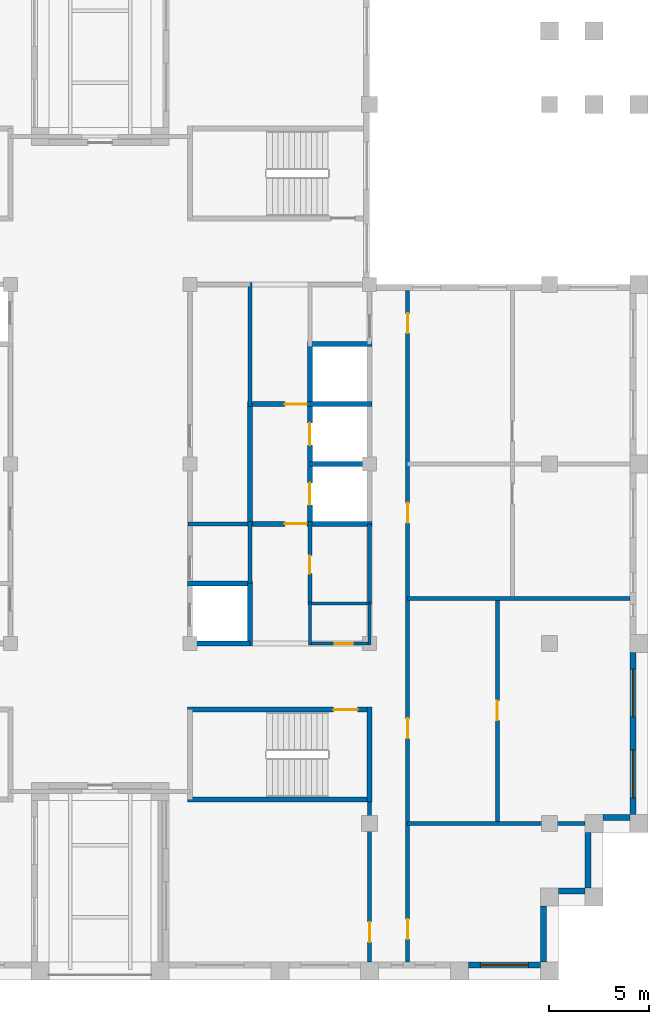
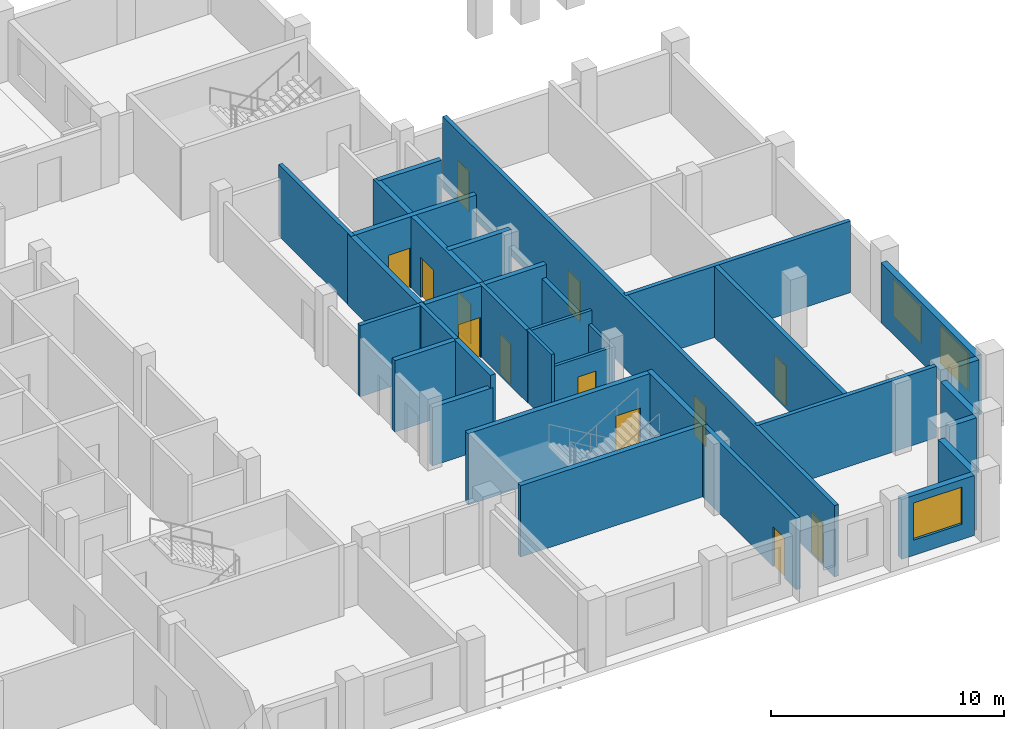
# One storey, part 4 of 8: 32 walls, 13 doors, 3 windows, 16 openings.
"""IFC4 building model written with IfcOpenShell, lengths in metres."""

from ifc_helpers import new_model, si_unit, direction, frame, frame_2d, origin, place, context, subcontext, project, spatial, rectangle, extrude, material, layer, layer_set, type_object, element, fill, save


model = new_model("IFC4")

# Units and contexts
model_context = context("Model", 3, precision=1e-05, world=origin(), true_north=direction((0.0, 1.0)))
body_context = subcontext(model_context, "Body", "Model", "MODEL_VIEW")
ifc_project = project(units=[si_unit("LENGTHUNIT", "METRE"), si_unit("AREAUNIT", "SQUARE_METRE"), si_unit("VOLUMEUNIT", "CUBIC_METRE"), si_unit("PLANEANGLEUNIT", "RADIAN"), si_unit("MASSUNIT", "GRAM", prefix="KILO")], contexts=[model_context])

# Site, building, storey
site_placement = place(None, origin())
site = spatial("IfcSite", under=ifc_project, at=site_placement, CompositionType="ELEMENT")
building_placement = place(site_placement, origin())
building = spatial("IfcBuilding", under=site, at=building_placement, Name="Corbelhall Arena Tower", CompositionType="ELEMENT")
storey_placement = place(building_placement, frame((0.0, 0.0, 326.0)))
storey = spatial("IfcBuildingStorey", under=building, at=storey_placement, Name="L71", CompositionType="ELEMENT", Elevation=326.0)

# Wall, opening, window
ifc_material_1 = material(Name="Precast concrete C40/50 with granite facing", Category="masonry")
ifc_layer_1 = layer(ifc_material_1, 0.300048828125)
ifc_layer_set_1 = layer_set([ifc_layer_1], Name="EV-IW1 Infill panel 300")
wall_type_1 = type_object("IfcWallType", Name="EV-IW1 Infill panel 300", PredefinedType="SOLIDWALL", material=ifc_layer_set_1)
wall_1_placement = place(storey_placement, frame((18.449951171875, -25.10009765625, 0.0), z_axis=(0.0, 0.0, 1.0), x_axis=(1.0, 0.0, 0.0)))
wall_1 = element("IfcWall", 1, at=wall_1_placement, inside=storey, type_object=wall_type_1, Name="Infill panel IW1", PredefinedType="SOLIDWALL", context=body_context, shape_type="SweptSolid", body=[
    extrude(rectangle(XDim=3.60009765625, YDim=0.300048828125, at=frame_2d((1.800048828125, 0.0))), origin(), (0.0, 0.0, 1.0), 3.139892578125),
])
opening_1_placement = place(wall_1_placement, frame((0.60009765625, 0.0, 0.800048828125)))
opening_1 = element("IfcOpeningElement", 2, at=opening_1_placement, cuts=wall_1, Name="Opening WN1", PredefinedType="OPENING", context=body_context, shape_type="SweptSolid", body=[
    extrude(rectangle(XDim=2.39990234375, YDim=1.949951171875, at=frame_2d((1.199951171875, 0.97509765625))), frame((0.0, 0.14990234375, 0.0), z_axis=(0.0, -1.0, 0.0), x_axis=(1.0, 0.0, 0.0)), (0.0, 0.0, 1.0), 0.300048828125),
])
ifc_material_2 = material(Name="Aluminium black anodised", Category="aluminium")
window_type = type_object("IfcWindowType", Name="EV-WN1 Office window", PartitioningType="SINGLE_PANEL", PredefinedType="WINDOW", material=ifc_material_2)
window_1_placement = place(opening_1_placement, origin())
window_1 = element("IfcWindow", 3, at=window_1_placement, inside=storey, type_object=window_type, Name="Window WN1", OverallHeight=1.949951171875, OverallWidth=2.39990234375, PartitioningType="SINGLE_PANEL", PredefinedType="WINDOW", context=body_context, shape_type="SweptSolid", body=[
    extrude(rectangle(XDim=2.39990234375, YDim=1.949951171875, at=frame_2d((1.199951171875, 0.97509765625))), frame((0.0, 0.030029296875, 0.0), z_axis=(0.0, -1.0, 0.0), x_axis=(1.0, 0.0, 0.0)), (0.0, 0.0, 1.0), 0.06005859375),
])
fill(opening_1, window_1)

# Walls
wall_2_placement = place(storey_placement, frame((22.199951171875, -24.949951171875, 0.0), z_axis=(0.0, 0.0, 1.0), x_axis=(0.0, 1.0, 0.0)))
element("IfcWall", 4, at=wall_2_placement, inside=storey, type_object=wall_type_1, Name="Infill panel IW1", PredefinedType="SOLIDWALL", context=body_context, shape_type="SweptSolid", body=[
    extrude(rectangle(XDim=2.800048828125, YDim=0.300048828125, at=frame_2d((1.39990234375, 0.0))), origin(), (0.0, 0.0, 1.0), 3.139892578125),
])
wall_3_placement = place(storey_placement, frame((22.949951171875, -21.39990234375, 0.0), z_axis=(0.0, 0.0, 1.0), x_axis=(1.0, 0.0, 0.0)))
element("IfcWall", 5, at=wall_3_placement, inside=storey, type_object=wall_type_1, Name="Infill panel IW1", PredefinedType="SOLIDWALL", context=body_context, shape_type="SweptSolid", body=[
    extrude(rectangle(XDim=1.35009765625, YDim=0.300048828125, at=frame_2d((0.675048828125, 0.0))), origin(), (0.0, 0.0, 1.0), 3.139892578125),
])
wall_4_placement = place(storey_placement, frame((24.449951171875, -21.25, 0.0), z_axis=(0.0, 0.0, 1.0), x_axis=(0.0, 1.0, 0.0)))
element("IfcWall", 6, at=wall_4_placement, inside=storey, type_object=wall_type_1, Name="Infill panel IW1", PredefinedType="SOLIDWALL", context=body_context, shape_type="SweptSolid", body=[
    extrude(rectangle(XDim=2.800048828125, YDim=0.300048828125, at=frame_2d((1.39990234375, 0.0))), origin(), (0.0, 0.0, 1.0), 3.139892578125),
])
wall_5_placement = place(storey_placement, frame((25.199951171875, -17.699951171875, 0.0), z_axis=(0.0, 0.0, 1.0), x_axis=(1.0, 0.0, 0.0)))
element("IfcWall", 7, at=wall_5_placement, inside=storey, type_object=wall_type_1, Name="Infill panel IW1", PredefinedType="SOLIDWALL", context=body_context, shape_type="SweptSolid", body=[
    extrude(rectangle(XDim=1.35009765625, YDim=0.300048828125, at=frame_2d((0.675048828125, 0.0))), origin(), (0.0, 0.0, 1.0), 3.139892578125),
])

# Wall, openings, windows
wall_6_placement = place(storey_placement, frame((26.699951171875, -17.550048828125, 0.0), z_axis=(0.0, 0.0, 1.0), x_axis=(0.0, 1.0, 0.0)))
wall_6 = element("IfcWall", 8, at=wall_6_placement, inside=storey, type_object=wall_type_1, Name="Infill panel IW1", PredefinedType="SOLIDWALL", context=body_context, shape_type="SweptSolid", body=[
    extrude(rectangle(XDim=8.10009765625, YDim=0.300048828125, at=frame_2d((4.050048828125, 0.0))), origin(), (0.0, 0.0, 1.0), 3.139892578125),
])
opening_2_placement = place(wall_6_placement, frame((0.824951171875, 0.0, 0.800048828125)))
opening_2 = element("IfcOpeningElement", 9, at=opening_2_placement, cuts=wall_6, Name="Opening WN1", PredefinedType="OPENING", context=body_context, shape_type="SweptSolid", body=[
    extrude(rectangle(XDim=2.39990234375, YDim=1.949951171875, at=frame_2d((1.199951171875, 0.97509765625))), frame((0.0, 0.14990234375, 0.0), z_axis=(0.0, -1.0, 0.0), x_axis=(1.0, 0.0, 0.0)), (0.0, 0.0, 1.0), 0.300048828125),
])
opening_3_placement = place(wall_6_placement, frame((4.875, 0.0, 0.800048828125)))
opening_3 = element("IfcOpeningElement", 10, at=opening_3_placement, cuts=wall_6, Name="Opening WN1", PredefinedType="OPENING", context=body_context, shape_type="SweptSolid", body=[
    extrude(rectangle(XDim=2.39990234375, YDim=1.949951171875, at=frame_2d((1.199951171875, 0.97509765625))), frame((0.0, 0.14990234375, 0.0), z_axis=(0.0, -1.0, 0.0), x_axis=(1.0, 0.0, 0.0)), (0.0, 0.0, 1.0), 0.300048828125),
])
window_2_placement = place(opening_2_placement, origin())
window_2 = element("IfcWindow", 11, at=window_2_placement, inside=storey, type_object=window_type, Name="Window WN1", OverallHeight=1.949951171875, OverallWidth=2.39990234375, PartitioningType="SINGLE_PANEL", PredefinedType="WINDOW", context=body_context, shape_type="SweptSolid", body=[
    extrude(rectangle(XDim=2.39990234375, YDim=1.949951171875, at=frame_2d((1.199951171875, 0.97509765625))), frame((0.0, 0.030029296875, 0.0), z_axis=(0.0, -1.0, 0.0), x_axis=(1.0, 0.0, 0.0)), (0.0, 0.0, 1.0), 0.06005859375),
])
fill(opening_2, window_2)
window_3_placement = place(opening_3_placement, origin())
window_3 = element("IfcWindow", 12, at=window_3_placement, inside=storey, type_object=window_type, Name="Window WN1", OverallHeight=1.949951171875, OverallWidth=2.39990234375, PartitioningType="SINGLE_PANEL", PredefinedType="WINDOW", context=body_context, shape_type="SweptSolid", body=[
    extrude(rectangle(XDim=2.39990234375, YDim=1.949951171875, at=frame_2d((1.199951171875, 0.97509765625))), frame((0.0, 0.030029296875, 0.0), z_axis=(0.0, -1.0, 0.0), x_axis=(1.0, 0.0, 0.0)), (0.0, 0.0, 1.0), 0.06005859375),
])
fill(opening_3, window_3)

# Wall, opening, door
ifc_material_3 = material(Name="Gypsum board on steel stud, acoustic", Category="steel")
ifc_layer_2 = layer(ifc_material_3, 0.199951171875)
ifc_layer_set_2 = layer_set([ifc_layer_2], Name="IN-W-DM200")
wall_type_2 = type_object("IfcWallType", Name="IN-W-DM200", PredefinedType="PARTITIONING", material=ifc_layer_set_2)
wall_7_placement = place(storey_placement, frame((13.5, -24.949951171875, 0.0), z_axis=(0.0, 0.0, 1.0), x_axis=(0.0, 1.0, 0.0)))
wall_7 = element("IfcWall", 13, at=wall_7_placement, inside=storey, type_object=wall_type_2, Name="Partition 019", PredefinedType="PARTITIONING", context=body_context, shape_type="SweptSolid", body=[
    extrude(rectangle(XDim=8.27490234375, YDim=0.199951171875, at=frame_2d((4.137451171875, 0.0))), origin(), (0.0, 0.0, 1.0), 3.739990234375),
])
opening_4_placement = place(wall_7_placement, frame((1.0, 0.0, 0.0)))
opening_4 = element("IfcOpeningElement", 14, at=opening_4_placement, cuts=wall_7, Name="Opening 23021", PredefinedType="OPENING", context=body_context, shape_type="SweptSolid", body=[
    extrude(rectangle(XDim=1.0, YDim=2.10009765625, at=frame_2d((0.5, 1.050048828125))), frame((0.0, 0.10009765625, 0.0), z_axis=(0.0, -1.0, 0.0), x_axis=(1.0, 0.0, 0.0)), (0.0, 0.0, 1.0), 0.199951171875),
])
ifc_material_4 = material(Name="Steel door set", Category="steel")
door_type_1 = type_object("IfcDoorType", Name="IN-D-SW100", OperationType="NOTDEFINED", PredefinedType="DOOR", material=ifc_material_4)
door_1_placement = place(opening_4_placement, origin())
door_1 = element("IfcDoor", 15, at=door_1_placement, inside=storey, type_object=door_type_1, Name="Door 021", OperationType="SINGLE_SWING_RIGHT", OverallHeight=2.10009765625, OverallWidth=1.0, PredefinedType="DOOR", context=body_context, shape_type="SweptSolid", body=[
    extrude(rectangle(XDim=1.0, YDim=2.10009765625, at=frame_2d((0.5, 1.050048828125))), frame((0.0, 0.02490234375, 0.0), z_axis=(0.0, -1.0, 0.0), x_axis=(1.0, 0.0, 0.0)), (0.0, 0.0, 1.0), 0.050048828125),
])
fill(opening_4, door_1)

# Wall
wall_8_placement = place(storey_placement, frame((15.39990234375, -18.0, 0.0), z_axis=(0.0, 0.0, 1.0), x_axis=(1.0, 0.0, 0.0)))
element("IfcWall", 16, at=wall_8_placement, inside=storey, type_object=wall_type_2, Name="Partition 020", PredefinedType="PARTITIONING", context=body_context, shape_type="SweptSolid", body=[
    extrude(rectangle(XDim=8.900146484375, YDim=0.199951171875, at=frame_2d((4.4501953125, 0.0))), origin(), (0.0, 0.0, 1.0), 3.739990234375),
])

# Wall, openings, doors
wall_9_placement = place(storey_placement, frame((15.39990234375, 8.699951171875, 0.0), z_axis=(0.0, 0.0, 1.0), x_axis=(0.0, -1.0, 0.0)))
wall_9 = element("IfcWall", 17, at=wall_9_placement, inside=storey, type_object=wall_type_2, Name="Partition 021", PredefinedType="PARTITIONING", context=body_context, shape_type="SweptSolid", body=[
    extrude(rectangle(XDim=33.64990234375, YDim=0.199951171875, at=frame_2d((16.824951171875, 0.0))), origin(), (0.0, 0.0, 1.0), 3.739990234375),
])
opening_5_placement = place(wall_9_placement, frame((1.14990234375, 0.0, 0.0)))
opening_5 = element("IfcOpeningElement", 18, at=opening_5_placement, cuts=wall_9, Name="Opening 23028", PredefinedType="OPENING", context=body_context, shape_type="SweptSolid", body=[
    extrude(rectangle(XDim=1.0, YDim=2.10009765625, at=frame_2d((0.5, 1.050048828125))), frame((0.0, 0.10009765625, 0.0), z_axis=(0.0, -1.0, 0.0), x_axis=(1.0, 0.0, 0.0)), (0.0, 0.0, 1.0), 0.199951171875),
])
opening_6_placement = place(wall_9_placement, frame((31.5, 0.0, 0.0)))
opening_6 = element("IfcOpeningElement", 19, at=opening_6_placement, cuts=wall_9, Name="Opening 23030", PredefinedType="OPENING", context=body_context, shape_type="SweptSolid", body=[
    extrude(rectangle(XDim=1.0, YDim=2.10009765625, at=frame_2d((0.5, 1.050048828125))), frame((0.0, 0.10009765625, 0.0), z_axis=(0.0, -1.0, 0.0), x_axis=(1.0, 0.0, 0.0)), (0.0, 0.0, 1.0), 0.199951171875),
])
opening_7_placement = place(wall_9_placement, frame((21.449951171875, 0.0, 0.0)))
opening_7 = element("IfcOpeningElement", 20, at=opening_7_placement, cuts=wall_9, Name="Opening 23031", PredefinedType="OPENING", context=body_context, shape_type="SweptSolid", body=[
    extrude(rectangle(XDim=1.0, YDim=2.10009765625, at=frame_2d((0.5, 1.050048828125))), frame((0.0, 0.10009765625, 0.0), z_axis=(0.0, -1.0, 0.0), x_axis=(1.0, 0.0, 0.0)), (0.0, 0.0, 1.0), 0.199951171875),
])
opening_8_placement = place(wall_9_placement, frame((10.64990234375, 0.0, 0.0)))
opening_8 = element("IfcOpeningElement", 21, at=opening_8_placement, cuts=wall_9, Name="Opening 23033", PredefinedType="OPENING", context=body_context, shape_type="SweptSolid", body=[
    extrude(rectangle(XDim=1.0, YDim=2.10009765625, at=frame_2d((0.5, 1.050048828125))), frame((0.0, 0.10009765625, 0.0), z_axis=(0.0, -1.0, 0.0), x_axis=(1.0, 0.0, 0.0)), (0.0, 0.0, 1.0), 0.199951171875),
])
door_2_placement = place(opening_5_placement, origin())
door_2 = element("IfcDoor", 22, at=door_2_placement, inside=storey, type_object=door_type_1, Name="Door 028", OperationType="SINGLE_SWING_LEFT", OverallHeight=2.10009765625, OverallWidth=1.0, PredefinedType="DOOR", context=body_context, shape_type="SweptSolid", body=[
    extrude(rectangle(XDim=1.0, YDim=2.10009765625, at=frame_2d((0.5, 1.050048828125))), frame((0.0, 0.02490234375, 0.0), z_axis=(0.0, -1.0, 0.0), x_axis=(1.0, 0.0, 0.0)), (0.0, 0.0, 1.0), 0.050048828125),
])
fill(opening_5, door_2)
door_3_placement = place(opening_6_placement, origin())
door_3 = element("IfcDoor", 23, at=door_3_placement, inside=storey, type_object=door_type_1, Name="Door 030", OperationType="SINGLE_SWING_LEFT", OverallHeight=2.10009765625, OverallWidth=1.0, PredefinedType="DOOR", context=body_context, shape_type="SweptSolid", body=[
    extrude(rectangle(XDim=1.0, YDim=2.10009765625, at=frame_2d((0.5, 1.050048828125))), frame((0.0, 0.02490234375, 0.0), z_axis=(0.0, -1.0, 0.0), x_axis=(1.0, 0.0, 0.0)), (0.0, 0.0, 1.0), 0.050048828125),
])
fill(opening_6, door_3)
door_4_placement = place(opening_7_placement, origin())
door_4 = element("IfcDoor", 24, at=door_4_placement, inside=storey, type_object=door_type_1, Name="Door 031", OperationType="SINGLE_SWING_RIGHT", OverallHeight=2.10009765625, OverallWidth=1.0, PredefinedType="DOOR", context=body_context, shape_type="SweptSolid", body=[
    extrude(rectangle(XDim=1.0, YDim=2.10009765625, at=frame_2d((0.5, 1.050048828125))), frame((0.0, 0.02490234375, 0.0), z_axis=(0.0, -1.0, 0.0), x_axis=(1.0, 0.0, 0.0)), (0.0, 0.0, 1.0), 0.050048828125),
])
fill(opening_7, door_4)
door_5_placement = place(opening_8_placement, origin())
door_5 = element("IfcDoor", 25, at=door_5_placement, inside=storey, type_object=door_type_1, Name="Door 033", OperationType="SINGLE_SWING_RIGHT", OverallHeight=2.10009765625, OverallWidth=1.0, PredefinedType="DOOR", context=body_context, shape_type="SweptSolid", body=[
    extrude(rectangle(XDim=1.0, YDim=2.10009765625, at=frame_2d((0.5, 1.050048828125))), frame((0.0, 0.02490234375, 0.0), z_axis=(0.0, -1.0, 0.0), x_axis=(1.0, 0.0, 0.0)), (0.0, 0.0, 1.0), 0.050048828125),
])
fill(opening_8, door_5)

# Wall
wall_10_placement = place(storey_placement, frame((15.39990234375, -6.75, 0.0), z_axis=(0.0, 0.0, 1.0), x_axis=(1.0, 0.0, 0.0)))
element("IfcWall", 26, at=wall_10_placement, inside=storey, type_object=wall_type_2, Name="Partition 022", PredefinedType="PARTITIONING", context=body_context, shape_type="SweptSolid", body=[
    extrude(rectangle(XDim=11.150146484375, YDim=0.199951171875, at=frame_2d((5.5751953125, 0.0))), origin(), (0.0, 0.0, 1.0), 3.739990234375),
])

# Wall, opening, door
wall_11_placement = place(storey_placement, frame((19.89990234375, -6.64990234375, 0.0), z_axis=(0.0, 0.0, 1.0), x_axis=(0.0, -1.0, 0.0)))
wall_11 = element("IfcWall", 27, at=wall_11_placement, inside=storey, type_object=wall_type_2, Name="Partition 023", PredefinedType="PARTITIONING", context=body_context, shape_type="SweptSolid", body=[
    extrude(rectangle(XDim=11.35009765625, YDim=0.199951171875, at=frame_2d((5.675048828125, 0.0))), origin(), (0.0, 0.0, 1.0), 3.739990234375),
])
opening_9_placement = place(wall_11_placement, frame((5.199951171875, 0.0, 0.0)))
opening_9 = element("IfcOpeningElement", 28, at=opening_9_placement, cuts=wall_11, Name="Opening 23032", PredefinedType="OPENING", context=body_context, shape_type="SweptSolid", body=[
    extrude(rectangle(XDim=1.0, YDim=2.10009765625, at=frame_2d((0.5, 1.050048828125))), frame((0.0, 0.10009765625, 0.0), z_axis=(0.0, -1.0, 0.0), x_axis=(1.0, 0.0, 0.0)), (0.0, 0.0, 1.0), 0.199951171875),
])
door_6_placement = place(opening_9_placement, origin())
door_6 = element("IfcDoor", 29, at=door_6_placement, inside=storey, type_object=door_type_1, Name="Door 032", OperationType="SINGLE_SWING_LEFT", OverallHeight=2.10009765625, OverallWidth=1.0, PredefinedType="DOOR", context=body_context, shape_type="SweptSolid", body=[
    extrude(rectangle(XDim=1.0, YDim=2.10009765625, at=frame_2d((0.5, 1.050048828125))), frame((0.0, 0.02490234375, 0.0), z_axis=(0.0, -1.0, 0.0), x_axis=(1.0, 0.0, 0.0)), (0.0, 0.0, 1.0), 0.050048828125),
])
fill(opening_9, door_6)

# Walls
ifc_material_5 = material(Name="Concrete block wall", Category="concrete")
ifc_layer_3 = layer(ifc_material_5, 0.199951171875)
ifc_layer_set_3 = layer_set([ifc_layer_3], Name="IN-W-RS200")
wall_type_3 = type_object("IfcWallType", Name="IN-W-RS200", PredefinedType="SOLIDWALL", material=ifc_layer_set_3)
wall_12_placement = place(storey_placement, frame((4.39990234375, -3.0, 0.0), z_axis=(0.0, 0.0, 1.0), x_axis=(1.0, 0.0, 0.0)))
element("IfcWall", 30, at=wall_12_placement, inside=storey, type_object=wall_type_3, Name="Partition 036", PredefinedType="SOLIDWALL", context=body_context, shape_type="SweptSolid", body=[
    extrude(rectangle(XDim=3.22509765625, YDim=0.199951171875, at=frame_2d((1.612548828125, 0.0))), origin(), (0.0, 0.0, 1.0), 3.739990234375),
])
wall_13_placement = place(storey_placement, frame((7.5, -2.875, 0.0), z_axis=(0.0, 0.0, 1.0), x_axis=(0.0, -1.0, 0.0)))
element("IfcWall", 31, at=wall_13_placement, inside=storey, type_object=wall_type_3, Name="Partition 039", PredefinedType="SOLIDWALL", context=body_context, shape_type="SweptSolid", body=[
    extrude(rectangle(XDim=3.125, YDim=0.199951171875, at=frame_2d((1.5625, 0.0))), origin(), (0.0, 0.0, 1.0), 3.739990234375),
])
wall_14_placement = place(storey_placement, frame((7.5, 9.10009765625, 0.0), z_axis=(0.0, 0.0, 1.0), x_axis=(0.0, -1.0, 0.0)))
element("IfcWall", 32, at=wall_14_placement, inside=storey, type_object=wall_type_3, Name="Partition 040", PredefinedType="SOLIDWALL", context=body_context, shape_type="SweptSolid", body=[
    extrude(rectangle(XDim=6.22509765625, YDim=0.199951171875, at=frame_2d((3.112548828125, 0.0))), origin(), (0.0, 0.0, 1.0), 3.739990234375),
])

# Wall, opening, door
wall_15_placement = place(storey_placement, frame((10.5, -2.875, 0.0), z_axis=(0.0, 0.0, 1.0), x_axis=(0.0, -1.0, 0.0)))
wall_15 = element("IfcWall", 33, at=wall_15_placement, inside=storey, type_object=wall_type_3, Name="Partition 041", PredefinedType="SOLIDWALL", context=body_context, shape_type="SweptSolid", body=[
    extrude(rectangle(XDim=4.199951171875, YDim=0.199951171875, at=frame_2d((2.10009765625, 0.0))), origin(), (0.0, 0.0, 1.0), 3.739990234375),
])
opening_10_placement = place(wall_15_placement, frame((1.719970703125, 0.0, 0.0)))
opening_10 = element("IfcOpeningElement", 34, at=opening_10_placement, cuts=wall_15, Name="Opening 23035", PredefinedType="OPENING", context=body_context, shape_type="SweptSolid", body=[
    extrude(rectangle(XDim=0.89990234375, YDim=2.10009765625, at=frame_2d((0.449951171875, 1.050048828125))), frame((0.0, 0.10009765625, 0.0), z_axis=(0.0, -1.0, 0.0), x_axis=(1.0, 0.0, 0.0)), (0.0, 0.0, 1.0), 0.199951171875),
])
ifc_material_6 = material(Name="Timber door set", Category="wood")
door_type_2 = type_object("IfcDoorType", Name="IN-D-SW90", OperationType="NOTDEFINED", PredefinedType="DOOR", material=ifc_material_6)
door_7_placement = place(opening_10_placement, origin())
door_7 = element("IfcDoor", 35, at=door_7_placement, inside=storey, type_object=door_type_2, Name="Door 035", OperationType="SINGLE_SWING_LEFT", OverallHeight=2.10009765625, OverallWidth=0.89990234375, PredefinedType="DOOR", context=body_context, shape_type="SweptSolid", body=[
    extrude(rectangle(XDim=0.89990234375, YDim=2.10009765625, at=frame_2d((0.449951171875, 1.050048828125))), frame((0.0, 0.02490234375, 0.0), z_axis=(0.0, -1.0, 0.0), x_axis=(1.0, 0.0, 0.0)), (0.0, 0.0, 1.0), 0.050048828125),
])
fill(opening_10, door_7)

# Walls
ifc_layer_4 = layer(ifc_material_5, 0.199951171875)
ifc_layer_set_4 = layer_set([ifc_layer_4], Name="IN-W-RS200 under beam 678 mm")
wall_type_4 = type_object("IfcWallType", Name="IN-W-RS200 under beam 678 mm", PredefinedType="SOLIDWALL", material=ifc_layer_set_4)
wall_16_placement = place(storey_placement, frame((13.5, -3.0, 0.0), z_axis=(0.0, 0.0, 1.0), x_axis=(0.0, -1.0, 0.0)))
element("IfcWall", 36, at=wall_16_placement, inside=storey, type_object=wall_type_4, Name="Partition 044", PredefinedType="SOLIDWALL", context=body_context, shape_type="SweptSolid", body=[
    extrude(rectangle(XDim=4.0, YDim=0.199951171875, at=frame_2d((2.0, 0.0))), origin(), (0.0, 0.0, 1.0), 3.061767578125),
])
ifc_material_7 = material(Name="Concrete C40/50", Category="concrete")
ifc_layer_5 = layer(ifc_material_7, 0.25)
ifc_layer_set_5 = layer_set([ifc_layer_5], Name="IN-W-SH250")
wall_type_5 = type_object("IfcWallType", Name="IN-W-SH250", PredefinedType="SOLIDWALL", material=ifc_layer_set_5)
wall_17_placement = place(storey_placement, frame((4.375, -6.0, 0.0), z_axis=(0.0, 0.0, 1.0), x_axis=(1.0, 0.0, 0.0)))
element("IfcWall", 37, at=wall_17_placement, inside=storey, type_object=wall_type_5, Name="Shaft wall 056", PredefinedType="SOLIDWALL", context=body_context, shape_type="SweptSolid", body=[
    extrude(rectangle(XDim=3.25, YDim=0.25, at=frame_2d((1.625, 0.0))), origin(), (0.0, 0.0, 1.0), 3.739990234375),
])
wall_18_placement = place(storey_placement, frame((7.5, -6.0, 0.0), z_axis=(0.0, 0.0, 1.0), x_axis=(0.0, -1.0, 0.0)))
element("IfcWall", 38, at=wall_18_placement, inside=storey, type_object=wall_type_5, Name="Shaft wall 059", PredefinedType="SOLIDWALL", context=body_context, shape_type="SweptSolid", body=[
    extrude(rectangle(XDim=3.125, YDim=0.25, at=frame_2d((1.5625, 0.0))), origin(), (0.0, 0.0, 1.0), 3.739990234375),
])

# Wall, opening, door
wall_19_placement = place(storey_placement, frame((7.5, -3.0, 0.0), z_axis=(0.0, 0.0, 1.0), x_axis=(1.0, 0.0, 0.0)))
wall_19 = element("IfcWall", 39, at=wall_19_placement, inside=storey, type_object=wall_type_5, Name="Shaft wall 060", PredefinedType="SOLIDWALL", context=body_context, shape_type="SweptSolid", body=[
    extrude(rectangle(XDim=6.125, YDim=0.25, at=frame_2d((3.0625, 0.0))), origin(), (0.0, 0.0, 1.0), 3.739990234375),
])
opening_11_placement = place(wall_19_placement, frame((1.75, 0.0, 0.0)))
opening_11 = element("IfcOpeningElement", 40, at=opening_11_placement, cuts=wall_19, Name="Opening 23011", PredefinedType="OPENING", context=body_context, shape_type="SweptSolid", body=[
    extrude(rectangle(XDim=1.10009765625, YDim=2.10009765625, at=frame_2d((0.550048828125, 1.050048828125))), frame((0.0, 0.125, 0.0), z_axis=(0.0, -1.0, 0.0), x_axis=(1.0, 0.0, 0.0)), (0.0, 0.0, 1.0), 0.25),
])
door_type_3 = type_object("IfcDoorType", Name="IN-D-FD110", OperationType="NOTDEFINED", PredefinedType="DOOR", material=ifc_material_4)
door_8_placement = place(opening_11_placement, origin())
door_8 = element("IfcDoor", 41, at=door_8_placement, inside=storey, type_object=door_type_3, Name="Door 011", OperationType="SINGLE_SWING_RIGHT", OverallHeight=2.10009765625, OverallWidth=1.10009765625, PredefinedType="DOOR", context=body_context, shape_type="SweptSolid", body=[
    extrude(rectangle(XDim=1.10009765625, YDim=2.10009765625, at=frame_2d((0.550048828125, 1.050048828125))), frame((0.0, 0.02490234375, 0.0), z_axis=(0.0, -1.0, 0.0), x_axis=(1.0, 0.0, 0.0)), (0.0, 0.0, 1.0), 0.050048828125),
])
fill(opening_11, door_8)

wall_20_placement = place(storey_placement, frame((7.5, 3.0, 0.0), z_axis=(0.0, 0.0, 1.0), x_axis=(1.0, 0.0, 0.0)))
wall_20 = element("IfcWall", 42, at=wall_20_placement, inside=storey, type_object=wall_type_5, Name="Shaft wall 061", PredefinedType="SOLIDWALL", context=body_context, shape_type="SweptSolid", body=[
    extrude(rectangle(XDim=6.125, YDim=0.25, at=frame_2d((3.0625, 0.0))), origin(), (0.0, 0.0, 1.0), 3.739990234375),
])
opening_12_placement = place(wall_20_placement, frame((1.75, 0.0, 0.0)))
opening_12 = element("IfcOpeningElement", 43, at=opening_12_placement, cuts=wall_20, Name="Opening 23012", PredefinedType="OPENING", context=body_context, shape_type="SweptSolid", body=[
    extrude(rectangle(XDim=1.10009765625, YDim=2.10009765625, at=frame_2d((0.550048828125, 1.050048828125))), frame((0.0, 0.125, 0.0), z_axis=(0.0, -1.0, 0.0), x_axis=(1.0, 0.0, 0.0)), (0.0, 0.0, 1.0), 0.25),
])
door_9_placement = place(opening_12_placement, origin())
door_9 = element("IfcDoor", 44, at=door_9_placement, inside=storey, type_object=door_type_3, Name="Door 012", OperationType="SINGLE_SWING_LEFT", OverallHeight=2.10009765625, OverallWidth=1.10009765625, PredefinedType="DOOR", context=body_context, shape_type="SweptSolid", body=[
    extrude(rectangle(XDim=1.10009765625, YDim=2.10009765625, at=frame_2d((0.550048828125, 1.050048828125))), frame((0.0, 0.02490234375, 0.0), z_axis=(0.0, -1.0, 0.0), x_axis=(1.0, 0.0, 0.0)), (0.0, 0.0, 1.0), 0.050048828125),
])
fill(opening_12, door_9)

# Walls
wall_21_placement = place(storey_placement, frame((7.5, 3.125, 0.0), z_axis=(0.0, 0.0, 1.0), x_axis=(0.0, -1.0, 0.0)))
element("IfcWall", 45, at=wall_21_placement, inside=storey, type_object=wall_type_5, Name="Shaft wall 062", PredefinedType="SOLIDWALL", context=body_context, shape_type="SweptSolid", body=[
    extrude(rectangle(XDim=6.25, YDim=0.25, at=frame_2d((3.125, 0.0))), origin(), (0.0, 0.0, 1.0), 3.739990234375),
])
wall_22_placement = place(storey_placement, frame((10.5, 0.0, 0.0), z_axis=(0.0, 0.0, 1.0), x_axis=(1.0, 0.0, 0.0)))
element("IfcWall", 46, at=wall_22_placement, inside=storey, type_object=wall_type_5, Name="Shaft wall 063", PredefinedType="SOLIDWALL", context=body_context, shape_type="SweptSolid", body=[
    extrude(rectangle(XDim=3.125, YDim=0.25, at=frame_2d((1.5625, 0.0))), origin(), (0.0, 0.0, 1.0), 3.739990234375),
])

# Wall, openings, doors
wall_23_placement = place(storey_placement, frame((10.5, 6.125, 0.0), z_axis=(0.0, 0.0, 1.0), x_axis=(0.0, -1.0, 0.0)))
wall_23 = element("IfcWall", 47, at=wall_23_placement, inside=storey, type_object=wall_type_5, Name="Shaft wall 064", PredefinedType="SOLIDWALL", context=body_context, shape_type="SweptSolid", body=[
    extrude(rectangle(XDim=9.25, YDim=0.25, at=frame_2d((4.625, 0.0))), origin(), (0.0, 0.0, 1.0), 3.739990234375),
])
opening_13_placement = place(wall_23_placement, frame((7.074951171875, 0.0, 0.0)))
opening_13 = element("IfcOpeningElement", 48, at=opening_13_placement, cuts=wall_23, Name="Opening LD", PredefinedType="OPENING", context=body_context, shape_type="SweptSolid", body=[
    extrude(rectangle(XDim=1.10009765625, YDim=2.10009765625, at=frame_2d((0.550048828125, 1.050048828125))), frame((0.0, 0.125, 0.0), z_axis=(0.0, -1.0, 0.0), x_axis=(1.0, 0.0, 0.0)), (0.0, 0.0, 1.0), 0.25),
])
opening_14_placement = place(wall_23_placement, frame((4.074951171875, 0.0, 0.0)))
opening_14 = element("IfcOpeningElement", 49, at=opening_14_placement, cuts=wall_23, Name="Opening LD", PredefinedType="OPENING", context=body_context, shape_type="SweptSolid", body=[
    extrude(rectangle(XDim=1.10009765625, YDim=2.10009765625, at=frame_2d((0.550048828125, 1.050048828125))), frame((0.0, 0.125, 0.0), z_axis=(0.0, -1.0, 0.0), x_axis=(1.0, 0.0, 0.0)), (0.0, 0.0, 1.0), 0.25),
])
door_type_4 = type_object("IfcDoorType", Name="IN-D-LD110", OperationType="NOTDEFINED", PredefinedType="DOOR", material=ifc_material_4)
door_10_placement = place(opening_13_placement, origin())
door_10 = element("IfcDoor", 50, at=door_10_placement, inside=storey, type_object=door_type_4, Name="Landing door E3", OperationType="SLIDING_TO_LEFT", OverallHeight=2.10009765625, OverallWidth=1.10009765625, PredefinedType="DOOR", context=body_context, shape_type="SweptSolid", body=[
    extrude(rectangle(XDim=1.10009765625, YDim=2.10009765625, at=frame_2d((0.550048828125, 1.050048828125))), frame((0.0, 0.02490234375, 0.0), z_axis=(0.0, -1.0, 0.0), x_axis=(1.0, 0.0, 0.0)), (0.0, 0.0, 1.0), 0.050048828125),
])
fill(opening_13, door_10)
door_11_placement = place(opening_14_placement, origin())
door_11 = element("IfcDoor", 51, at=door_11_placement, inside=storey, type_object=door_type_4, Name="Landing door E4", OperationType="SLIDING_TO_LEFT", OverallHeight=2.10009765625, OverallWidth=1.10009765625, PredefinedType="DOOR", context=body_context, shape_type="SweptSolid", body=[
    extrude(rectangle(XDim=1.10009765625, YDim=2.10009765625, at=frame_2d((0.550048828125, 1.050048828125))), frame((0.0, 0.02490234375, 0.0), z_axis=(0.0, -1.0, 0.0), x_axis=(1.0, 0.0, 0.0)), (0.0, 0.0, 1.0), 0.050048828125),
])
fill(opening_14, door_11)

# Walls
wall_24_placement = place(storey_placement, frame((10.5, 6.0, 0.0), z_axis=(0.0, 0.0, 1.0), x_axis=(1.0, 0.0, 0.0)))
element("IfcWall", 52, at=wall_24_placement, inside=storey, type_object=wall_type_5, Name="Shaft wall 065", PredefinedType="SOLIDWALL", context=body_context, shape_type="SweptSolid", body=[
    extrude(rectangle(XDim=3.125, YDim=0.25, at=frame_2d((1.5625, 0.0))), origin(), (0.0, 0.0, 1.0), 3.739990234375),
])
ifc_layer_6 = layer(ifc_material_7, 0.25)
ifc_layer_set_6 = layer_set([ifc_layer_6], Name="IN-W-SH250 under beam 678 mm")
wall_type_6 = type_object("IfcWallType", Name="IN-W-SH250 under beam 678 mm", PredefinedType="SOLIDWALL", material=ifc_layer_set_6)
wall_25_placement = place(storey_placement, frame((7.5, -9.0, 0.0), z_axis=(0.0, 0.0, 1.0), x_axis=(-1.0, 0.0, 0.0)))
element("IfcWall", 53, at=wall_25_placement, inside=storey, type_object=wall_type_6, Name="Shaft wall 058", PredefinedType="SOLIDWALL", context=body_context, shape_type="SweptSolid", body=[
    extrude(rectangle(XDim=3.0, YDim=0.25, at=frame_2d((1.5, 0.0))), origin(), (0.0, 0.0, 1.0), 3.061767578125),
])
ifc_layer_7 = layer(ifc_material_7, 0.25)
ifc_layer_set_7 = layer_set([ifc_layer_7], Name="IN-W-ST250")
wall_type_7 = type_object("IfcWallType", Name="IN-W-ST250", PredefinedType="SOLIDWALL", material=ifc_layer_set_7)
wall_26_placement = place(storey_placement, frame((13.5, -16.925048828125, 0.0), z_axis=(0.0, 0.0, 1.0), x_axis=(0.0, 1.0, 0.0)))
element("IfcWall", 54, at=wall_26_placement, inside=storey, type_object=wall_type_7, Name="Shaft wall 079", PredefinedType="SOLIDWALL", context=body_context, shape_type="SweptSolid", body=[
    extrude(rectangle(XDim=4.75, YDim=0.25, at=frame_2d((2.375, 0.0))), origin(), (0.0, 0.0, 1.0), 3.739990234375),
])
wall_27_placement = place(storey_placement, frame((13.5, -16.800048828125, 0.0), z_axis=(0.0, 0.0, 1.0), x_axis=(-1.0, 0.0, 0.0)))
element("IfcWall", 55, at=wall_27_placement, inside=storey, type_object=wall_type_7, Name="Shaft wall 080", PredefinedType="SOLIDWALL", context=body_context, shape_type="SweptSolid", body=[
    extrude(rectangle(XDim=9.125, YDim=0.25, at=frame_2d((4.5625, 0.0))), origin(), (0.0, 0.0, 1.0), 3.739990234375),
])

# Wall, opening, door
wall_28_placement = place(storey_placement, frame((13.5, -12.300048828125, 0.0), z_axis=(0.0, 0.0, 1.0), x_axis=(-1.0, 0.0, 0.0)))
wall_28 = element("IfcWall", 56, at=wall_28_placement, inside=storey, type_object=wall_type_7, Name="Shaft wall 081", PredefinedType="SOLIDWALL", context=body_context, shape_type="SweptSolid", body=[
    extrude(rectangle(XDim=9.125, YDim=0.25, at=frame_2d((4.5625, 0.0))), origin(), (0.0, 0.0, 1.0), 3.739990234375),
])
opening_15_placement = place(wall_28_placement, frame((0.60009765625, 0.0, 0.0)))
opening_15 = element("IfcOpeningElement", 57, at=opening_15_placement, cuts=wall_28, Name="Opening 23018", PredefinedType="OPENING", context=body_context, shape_type="SweptSolid", body=[
    extrude(rectangle(XDim=1.199951171875, YDim=2.10009765625, at=frame_2d((0.60009765625, 1.050048828125))), frame((0.0, 0.125, 0.0), z_axis=(0.0, -1.0, 0.0), x_axis=(1.0, 0.0, 0.0)), (0.0, 0.0, 1.0), 0.25),
])
door_type_5 = type_object("IfcDoorType", Name="IN-D-ST120", OperationType="NOTDEFINED", PredefinedType="DOOR", material=ifc_material_4)
door_12_placement = place(opening_15_placement, origin())
door_12 = element("IfcDoor", 58, at=door_12_placement, inside=storey, type_object=door_type_5, Name="Door 018", OperationType="SINGLE_SWING_LEFT", OverallHeight=2.10009765625, OverallWidth=1.199951171875, PredefinedType="DOOR", context=body_context, shape_type="SweptSolid", body=[
    extrude(rectangle(XDim=1.199951171875, YDim=2.10009765625, at=frame_2d((0.60009765625, 1.050048828125))), frame((0.0, 0.02490234375, 0.0), z_axis=(0.0, -1.0, 0.0), x_axis=(1.0, 0.0, 0.0)), (0.0, 0.0, 1.0), 0.050048828125),
])
fill(opening_15, door_12)

# Walls
ifc_material_8 = material(Name="Gypsum board on steel stud, moisture resistant", Category="steel")
ifc_layer_8 = layer(ifc_material_8, 0.14990234375)
ifc_layer_set_8 = layer_set([ifc_layer_8], Name="IN-W-WC150")
wall_type_8 = type_object("IfcWallType", Name="IN-W-WC150", PredefinedType="PARTITIONING", material=ifc_layer_set_8)
wall_29_placement = place(storey_placement, frame((10.5, -7.0, 0.0), z_axis=(0.0, 0.0, 1.0), x_axis=(1.0, 0.0, 0.0)))
element("IfcWall", 59, at=wall_29_placement, inside=storey, type_object=wall_type_8, Name="Partition 089", PredefinedType="PARTITIONING", context=body_context, shape_type="SweptSolid", body=[
    extrude(rectangle(XDim=3.10009765625, YDim=0.14990234375, at=frame_2d((1.550048828125, 0.0))), origin(), (0.0, 0.0, 1.0), 3.739990234375),
])
wall_30_placement = place(storey_placement, frame((10.5, -6.925048828125, 0.0), z_axis=(0.0, 0.0, 1.0), x_axis=(0.0, -1.0, 0.0)))
element("IfcWall", 60, at=wall_30_placement, inside=storey, type_object=wall_type_8, Name="Partition 090", PredefinedType="PARTITIONING", context=body_context, shape_type="SweptSolid", body=[
    extrude(rectangle(XDim=2.14990234375, YDim=0.14990234375, at=frame_2d((1.074951171875, 0.0))), origin(), (0.0, 0.0, 1.0), 3.739990234375),
])

# Wall, opening, door
ifc_layer_9 = layer(ifc_material_8, 0.14990234375)
ifc_layer_set_9 = layer_set([ifc_layer_9], Name="IN-W-WC150 under beam 678 mm")
wall_type_9 = type_object("IfcWallType", Name="IN-W-WC150 under beam 678 mm", PredefinedType="PARTITIONING", material=ifc_layer_set_9)
wall_31_placement = place(storey_placement, frame((13.5, -9.0, 0.0), z_axis=(0.0, 0.0, 1.0), x_axis=(-1.0, 0.0, 0.0)))
wall_31 = element("IfcWall", 61, at=wall_31_placement, inside=storey, type_object=wall_type_9, Name="Partition 091", PredefinedType="PARTITIONING", context=body_context, shape_type="SweptSolid", body=[
    extrude(rectangle(XDim=3.0, YDim=0.14990234375, at=frame_2d((1.5, 0.0))), origin(), (0.0, 0.0, 1.0), 3.061767578125),
])
opening_16_placement = place(wall_31_placement, frame((0.85009765625, 0.0, 0.0)))
opening_16 = element("IfcOpeningElement", 62, at=opening_16_placement, cuts=wall_31, Name="Opening 23013", PredefinedType="OPENING", context=body_context, shape_type="SweptSolid", body=[
    extrude(rectangle(XDim=0.89990234375, YDim=2.10009765625, at=frame_2d((0.449951171875, 1.050048828125))), frame((0.0, 0.074951171875, 0.0), z_axis=(0.0, -1.0, 0.0), x_axis=(1.0, 0.0, 0.0)), (0.0, 0.0, 1.0), 0.14990234375),
])
door_13_placement = place(opening_16_placement, origin())
door_13 = element("IfcDoor", 63, at=door_13_placement, inside=storey, type_object=door_type_2, Name="Door 013", OperationType="SINGLE_SWING_RIGHT", OverallHeight=2.10009765625, OverallWidth=0.89990234375, PredefinedType="DOOR", context=body_context, shape_type="SweptSolid", body=[
    extrude(rectangle(XDim=0.89990234375, YDim=2.10009765625, at=frame_2d((0.449951171875, 1.050048828125))), frame((0.0, 0.02490234375, 0.0), z_axis=(0.0, -1.0, 0.0), x_axis=(1.0, 0.0, 0.0)), (0.0, 0.0, 1.0), 0.050048828125),
])
fill(opening_16, door_13)

# Wall
wall_32_placement = place(storey_placement, frame((13.5, -7.0, 0.0), z_axis=(0.0, 0.0, 1.0), x_axis=(0.0, -1.0, 0.0)))
element("IfcWall", 64, at=wall_32_placement, inside=storey, type_object=wall_type_9, Name="Partition 092", PredefinedType="PARTITIONING", context=body_context, shape_type="SweptSolid", body=[
    extrude(rectangle(XDim=2.074951171875, YDim=0.14990234375, at=frame_2d((1.03759765625, 0.0))), origin(), (0.0, 0.0, 1.0), 3.061767578125),
])

save(model, "model.ifc")
